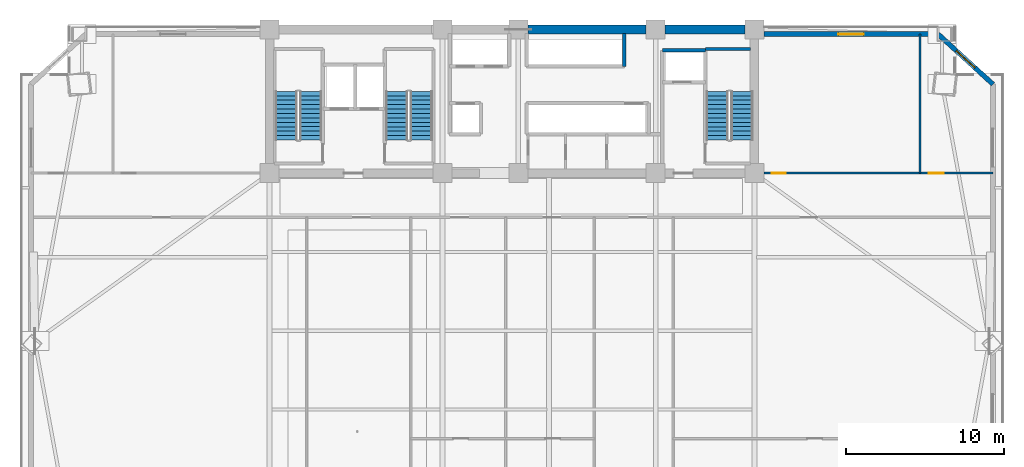
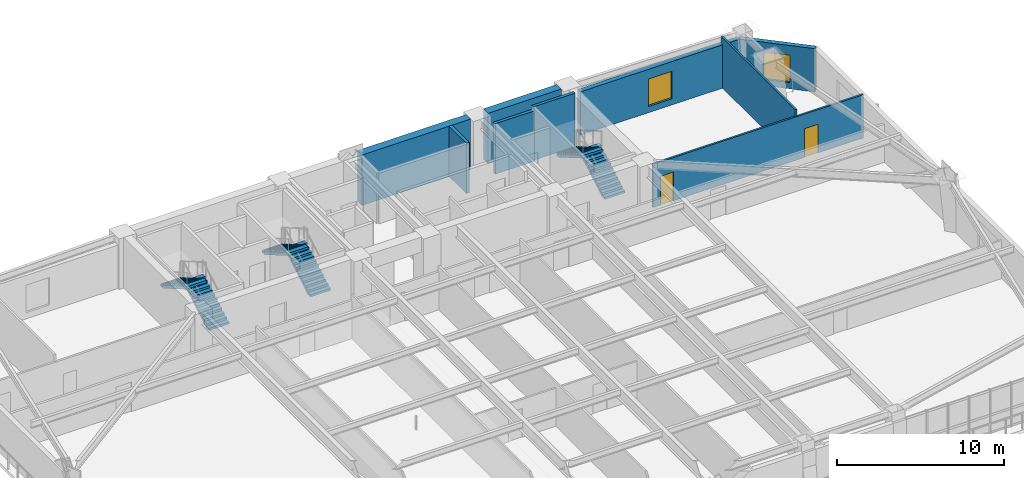
# One storey, part 10 of 15: 9 walls, 6 stair flights, 2 doors, 2 windows, 4 openings, 3 elements without a shape of their own.
"""IFC4 building model written with IfcOpenShell, lengths in metres."""

from ifc_helpers import new_model, si_unit, direction, frame, frame_2d, origin, place, context, subcontext, project, spatial, polyline, rectangle, outline, extrude, source, transform, mapped, material, layer, layer_set, type_object, element, fill, aggregate, save


model = new_model("IFC4")

# Units and contexts
model_context = context("Model", 3, precision=1e-05, world=origin(), true_north=direction((0.0, 1.0)))
body_context = subcontext(model_context, "Body", "Model", "MODEL_VIEW")
ifc_project = project(units=[si_unit("LENGTHUNIT", "METRE"), si_unit("AREAUNIT", "SQUARE_METRE"), si_unit("VOLUMEUNIT", "CUBIC_METRE"), si_unit("PLANEANGLEUNIT", "RADIAN"), si_unit("MASSUNIT", "GRAM", prefix="KILO")], contexts=[model_context])

# Site, building, storey
site_placement = place(None, origin())
site = spatial("IfcSite", under=ifc_project, at=site_placement, CompositionType="ELEMENT")
building_placement = place(site_placement, origin())
building = spatial("IfcBuilding", under=site, at=building_placement, Name="Giltprow Tower", CompositionType="ELEMENT")
storey_placement = place(building_placement, frame((0.0, 0.0, 119.199951171875)))
storey = spatial("IfcBuildingStorey", under=building, at=storey_placement, Name="L29", CompositionType="ELEMENT", Elevation=119.199951171875)

# Wall, opening, window
ifc_material_1 = material(Name="Precast concrete C40", Category="concrete")
ifc_layer_1 = layer(ifc_material_1, 0.300048828125, Name="Precast concrete C40")
ifc_layer_set_1 = layer_set([ifc_layer_1], Name="Precast concrete C40")
wall_type_1 = type_object("IfcWallType", Name="EW-NOTCH-CHAMFER-300", PredefinedType="SOLIDWALL", material=ifc_layer_set_1)
wall_1_placement = place(storey_placement, frame((65.656005859375, 43.0830078125, 0.0), z_axis=(0.0, 0.0, 1.0), x_axis=(-0.738333520178, 0.674435773801, 0.0)))
wall_1 = element("IfcWall", 1, at=wall_1_placement, inside=storey, type_object=wall_type_1, Name="L29 Corner Notch Wall NE", PredefinedType="SOLIDWALL", context=body_context, shape_type="SweptSolid", body=[
    extrude(rectangle(XDim=4.69580078125, YDim=0.300048828125, at=frame_2d((2.347900390625, 0.0))), origin(), (0.0, 0.0, 1.0), 3.16015625),
])
opening_1_placement = place(wall_1_placement, frame((1.548095703125, 0.0, 0.449951171875)))
opening_1 = element("IfcOpeningElement", 2, at=opening_1_placement, cuts=wall_1, Name="Opening WN17", PredefinedType="OPENING", context=body_context, shape_type="SweptSolid", body=[
    extrude(rectangle(XDim=1.60009765625, YDim=2.0, at=frame_2d((0.800048828125, 1.0))), frame((0.0, 0.159912109375, 0.0), z_axis=(0.0, -1.0, 0.0), x_axis=(1.0, 0.0, 0.0)), (0.0, 0.0, 1.0), 0.320068359375),
])
ifc_material_2 = material(Name="Insulated glass", Category="glass")
window_type = type_object("IfcWindowType", Name="WN-COR-1600x2000", PartitioningType="SINGLE_PANEL", PredefinedType="WINDOW", material=ifc_material_2)
shared_shape_1 = source(origin(), body_context, "Body", "SweptSolid", [
    extrude(rectangle(XDim=1.60009765625, YDim=2.0, at=frame_2d((0.800048828125, 1.0))), frame((0.0, 0.030029296875, 0.0), z_axis=(0.0, -1.0, 0.0), x_axis=(1.0, 0.0, 0.0)), (0.0, 0.0, 1.0), 0.06005859375),
])
window_1_placement = place(opening_1_placement, origin())
window_1 = element("IfcWindow", 3, at=window_1_placement, inside=storey, type_object=window_type, Name="L29 Corner Notch Window NE", OverallHeight=2.0, OverallWidth=1.60009765625, PartitioningType="SINGLE_PANEL", PredefinedType="WINDOW", context=body_context, shape_type="MappedRepresentation", body=[
    mapped(shared_shape_1, transform((0.0, 0.0, 0.0), x_axis=(1.0, 0.0, 0.0), y_axis=(0.0, 1.0, 0.0), z_axis=(0.0, 0.0, 1.0), scale=1.0)),
])
fill(opening_1, window_1)

ifc_layer_2 = layer(ifc_material_1, 0.320068359375, Name="Precast concrete C40")
ifc_layer_set_2 = layer_set([ifc_layer_2], Name="Precast concrete C40")
wall_type_2 = type_object("IfcWallType", Name="EW-TOW-STONE-320", PredefinedType="SOLIDWALL", material=ifc_layer_set_2)
wall_2_placement = place(storey_placement, frame((51.14990234375, 46.25, 0.0), z_axis=(0.0, 0.0, 1.0), x_axis=(1.0, 0.0, 0.0)))
wall_2 = element("IfcWall", 4, at=wall_2_placement, inside=storey, type_object=wall_type_2, Name="L29 North-East Wing Wall", PredefinedType="SOLIDWALL", context=body_context, shape_type="SweptSolid", body=[
    extrude(rectangle(XDim=11.0390625, YDim=0.320068359375, at=frame_2d((5.51953125, 0.0))), origin(), (0.0, 0.0, 1.0), 3.16015625),
])
opening_2_placement = place(wall_2_placement, frame((4.719970703125, 0.0, 0.449951171875)))
opening_2 = element("IfcOpeningElement", 5, at=opening_2_placement, cuts=wall_2, Name="Opening WN17", PredefinedType="OPENING", context=body_context, shape_type="SweptSolid", body=[
    extrude(rectangle(XDim=1.60009765625, YDim=2.0, at=frame_2d((0.800048828125, 1.0))), frame((0.0, 0.169921875, 0.0), z_axis=(0.0, -1.0, 0.0), x_axis=(1.0, 0.0, 0.0)), (0.0, 0.0, 1.0), 0.340087890625),
])
window_2_placement = place(opening_2_placement, origin())
window_2 = element("IfcWindow", 6, at=window_2_placement, inside=storey, type_object=window_type, Name="L29 North-East Window", OverallHeight=2.0, OverallWidth=1.60009765625, PartitioningType="SINGLE_PANEL", PredefinedType="WINDOW", context=body_context, shape_type="MappedRepresentation", body=[
    mapped(shared_shape_1, transform((0.0, 0.0, 0.0), x_axis=(1.0, 0.0, 0.0), y_axis=(0.0, 1.0, 0.0), z_axis=(0.0, 0.0, 1.0), scale=1.0)),
])
fill(opening_2, window_2)

# Walls
ifc_material_3 = material(Name="Concrete C40", Category="concrete")
ifc_layer_3 = layer(ifc_material_3, 0.219970703125, Name="Concrete C40")
ifc_layer_set_3 = layer_set([ifc_layer_3], Name="Concrete C40")
wall_type_3 = type_object("IfcWallType", Name="IW-SHAFT-220", PredefinedType="SOLIDWALL", material=ifc_layer_set_3)
wall_3_placement = place(storey_placement, frame((44.719970703125, 45.219970703125, 0.0), z_axis=(0.0, 0.0, 1.0), x_axis=(1.0, 0.0, 0.0)))
element("IfcWall", 7, at=wall_3_placement, inside=storey, type_object=wall_type_3, Name="L29 FFL2 Back Shaft Wall", PredefinedType="SOLIDWALL", context=body_context, shape_type="SweptSolid", body=[
    extrude(rectangle(XDim=2.719970703125, YDim=0.219970703125, at=frame_2d((1.35986328125, 0.0))), origin(), (0.0, 0.0, 1.0), 3.679931640625),
])
wall_4_placement = place(storey_placement, frame((42.320068359375, 44.219970703125, 0.0), z_axis=(0.0, 0.0, 1.0), x_axis=(0.0, 1.0, 0.0)))
element("IfcWall", 8, at=wall_4_placement, inside=storey, type_object=wall_type_3, Name="L29 North East Lift Shaft East Closure", PredefinedType="SOLIDWALL", context=body_context, shape_type="SweptSolid", body=[
    extrude(rectangle(XDim=2.074951171875, YDim=0.219970703125, at=frame_2d((1.03759765625, 0.0))), origin(), (0.0, 0.0, 1.0), 3.679931640625),
])
ifc_layer_4 = layer(ifc_material_3, 0.199951171875, Name="Concrete C40")
ifc_layer_set_4 = layer_set([ifc_layer_4], Name="Concrete C40")
wall_type_4 = type_object("IfcWallType", Name="IW-STAIR-200", PredefinedType="SOLIDWALL", material=ifc_layer_set_4)
wall_5_placement = place(storey_placement, frame((47.43994140625, 45.320068359375, 0.0), z_axis=(0.0, 0.0, 1.0), x_axis=(1.0, 0.0, 0.0)))
element("IfcWall", 9, at=wall_5_placement, inside=storey, type_object=wall_type_4, Name="L29 Stair ST-3 North Bearing Wall", PredefinedType="SOLIDWALL", context=body_context, shape_type="SweptSolid", body=[
    extrude(rectangle(XDim=2.85498046875, YDim=0.199951171875, at=frame_2d((1.427490234375, 0.0))), origin(), (0.0, 0.0, 1.0), 3.900146484375),
])

# Wall, openings, doors
ifc_material_4 = material(Name="Concrete C30", Category="concrete")
ifc_layer_5 = layer(ifc_material_4, 0.1298828125, Name="Concrete C30")
ifc_layer_set_5 = layer_set([ifc_layer_5], Name="Concrete C30")
wall_type_5 = type_object("IfcWallType", Name="IW-WET-130", PredefinedType="PARTITIONING", material=ifc_layer_set_5)
wall_6_placement = place(storey_placement, frame((51.14990234375, 37.449951171875, 0.0), z_axis=(0.0, 0.0, 1.0), x_axis=(1.0, 0.0, 0.0)))
wall_6 = element("IfcWall", 10, at=wall_6_placement, inside=storey, type_object=wall_type_5, Name="L29 NE Wing South Wall", PredefinedType="PARTITIONING", context=body_context, shape_type="SweptSolid", body=[
    extrude(rectangle(XDim=14.506103515625, YDim=0.1298828125, at=frame_2d((7.2529296875, 0.0))), origin(), (0.0, 0.0, 1.0), 3.1650390625),
])
opening_3_placement = place(wall_6_placement, frame((0.5, 0.0, 0.0)))
opening_3 = element("IfcOpeningElement", 11, at=opening_3_placement, cuts=wall_6, Name="Opening ID15", PredefinedType="OPENING", context=body_context, shape_type="SweptSolid", body=[
    extrude(rectangle(XDim=0.89990234375, YDim=2.10009765625, at=frame_2d((0.449951171875, 1.050048828125))), frame((0.0, 0.074951171875, 0.0), z_axis=(0.0, -1.0, 0.0), x_axis=(1.0, 0.0, 0.0)), (0.0, 0.0, 1.0), 0.14990234375),
])
opening_4_placement = place(wall_6_placement, frame((10.429931640625, 0.0, 0.0)))
opening_4 = element("IfcOpeningElement", 12, at=opening_4_placement, cuts=wall_6, Name="Opening ID11", PredefinedType="OPENING", context=body_context, shape_type="SweptSolid", body=[
    extrude(rectangle(XDim=0.949951171875, YDim=2.10009765625, at=frame_2d((0.47509765625, 1.050048828125))), frame((0.0, 0.074951171875, 0.0), z_axis=(0.0, -1.0, 0.0), x_axis=(1.0, 0.0, 0.0)), (0.0, 0.0, 1.0), 0.14990234375),
])
ifc_material_5 = material(Name="Engineered timber", Category="wood")
door_type_1 = type_object("IfcDoorType", Name="DR-WC-900", OperationType="SINGLE_SWING_LEFT", PredefinedType="DOOR", material=ifc_material_5)
shared_shape_2 = source(origin(), body_context, "Body", "SweptSolid", [
    extrude(rectangle(XDim=0.89990234375, YDim=2.10009765625, at=frame_2d((0.449951171875, 1.050048828125))), frame((0.0, 0.02490234375, 0.0), z_axis=(0.0, -1.0, 0.0), x_axis=(1.0, 0.0, 0.0)), (0.0, 0.0, 1.0), 0.050048828125),
])
door_1_placement = place(opening_3_placement, origin())
door_1 = element("IfcDoor", 13, at=door_1_placement, inside=storey, type_object=door_type_1, Name="L29 East Wing Washroom Door", OperationType="SINGLE_SWING_RIGHT", OverallHeight=2.10009765625, OverallWidth=0.89990234375, PredefinedType="DOOR", context=body_context, shape_type="MappedRepresentation", body=[
    mapped(shared_shape_2, transform((0.0, 0.0, 0.0), x_axis=(1.0, 0.0, 0.0), y_axis=(0.0, 1.0, 0.0), z_axis=(0.0, 0.0, 1.0), scale=1.0)),
])
fill(opening_3, door_1)
door_type_2 = type_object("IfcDoorType", Name="DR-ROOM-950", OperationType="SINGLE_SWING_RIGHT", PredefinedType="DOOR", material=ifc_material_5)
shared_shape_3 = source(origin(), body_context, "Body", "SweptSolid", [
    extrude(rectangle(XDim=0.949951171875, YDim=2.10009765625, at=frame_2d((0.47509765625, 1.050048828125))), frame((0.0, 0.02490234375, 0.0), z_axis=(0.0, -1.0, 0.0), x_axis=(1.0, 0.0, 0.0)), (0.0, 0.0, 1.0), 0.050048828125),
])
door_2_placement = place(opening_4_placement, origin())
door_2 = element("IfcDoor", 14, at=door_2_placement, inside=storey, type_object=door_type_2, Name="L29 East Tenant Archive Store Door", OperationType="SINGLE_SWING_RIGHT", OverallHeight=2.10009765625, OverallWidth=0.949951171875, PredefinedType="DOOR", context=body_context, shape_type="MappedRepresentation", body=[
    mapped(shared_shape_3, transform((0.0, 0.0, 0.0), x_axis=(1.0, 0.0, 0.0), y_axis=(0.0, 1.0, 0.0), z_axis=(0.0, 0.0, 1.0), scale=1.0)),
])
fill(opening_4, door_2)

# Walls
wall_7_placement = place(storey_placement, frame((61.030029296875, 37.449951171875, 0.0), z_axis=(0.0, 0.0, 1.0), x_axis=(0.0, 1.0, 0.0)))
element("IfcWall", 15, at=wall_7_placement, inside=storey, type_object=wall_type_5, Name="L29 NE Wing Divider", PredefinedType="PARTITIONING", context=body_context, shape_type="SweptSolid", body=[
    extrude(rectangle(XDim=8.800048828125, YDim=0.1298828125, at=frame_2d((4.39990234375, 0.0))), origin(), (0.0, 0.0, 1.0), 3.679931640625),
])
ifc_material_6 = material(Name="Concrete C60", Category="concrete")
ifc_layer_6 = layer(ifc_material_6, 0.550048828125, Name="Concrete C60")
ifc_layer_set_6 = layer_set([ifc_layer_6], Name="Concrete C60")
wall_type_6 = type_object("IfcWallType", Name="SW-EXT-550-C60", PredefinedType="SHEAR", material=ifc_layer_set_6)
wall_8_placement = place(storey_placement, frame((36.199951171875, 46.550048828125, 0.0), z_axis=(0.0, 0.0, 1.0), x_axis=(1.0, 0.0, 0.0)))
element("IfcWall", 16, at=wall_8_placement, inside=storey, type_object=wall_type_6, Name="L29 North Rear Core Shear Wall 3", PredefinedType="SHEAR", context=body_context, shape_type="SweptSolid", body=[
    extrude(rectangle(XDim=7.5, YDim=0.550048828125, at=frame_2d((3.75, 0.0))), origin(), (0.0, 0.0, 1.0), 3.679931640625),
])
wall_9_placement = place(storey_placement, frame((44.89990234375, 46.550048828125, 0.0), z_axis=(0.0, 0.0, 1.0), x_axis=(1.0, 0.0, 0.0)))
element("IfcWall", 17, at=wall_9_placement, inside=storey, type_object=wall_type_6, Name="L29 North Rear Core Shear Wall 4", PredefinedType="SHEAR", context=body_context, shape_type="SweptSolid", body=[
    extrude(rectangle(XDim=5.050048828125, YDim=0.550048828125, at=frame_2d((2.52490234375, 0.0))), origin(), (0.0, 0.0, 1.0), 3.679931640625),
])

# Stair, stair flights
stair_type_1 = type_object("IfcStairType", Name="STR-ST-1", PredefinedType="HALF_TURN_STAIR", material=ifc_material_3)
stair_1_placement = place(storey_placement, origin())
stair_1 = element("IfcStair", 18, at=stair_1_placement, inside=storey, type_object=stair_type_1, Name="L29 Core Exit Stair ST-1", PredefinedType="HALF_TURN_STAIR")
stair_flight_type_1 = type_object("IfcStairFlightType", Name="SFL-ST-1", PredefinedType="STRAIGHT", material=ifc_material_3)
stair_flight_1_placement = place(storey_placement, frame((22.4599609375, 39.550048828125, 0.0), z_axis=(0.0, 0.0, 1.0), x_axis=(0.0, 1.0, 0.0)))
stair_flight_1 = element("IfcStairFlight", 19, at=stair_flight_1_placement, type_object=stair_flight_type_1, Name="ST-1 flight 1", NumberOfRisers=12, NumberOfTreads=11, PredefinedType="STRAIGHT", RiserHeight=0.1625, TreadLength=0.28, context=body_context, shape_type="SweptSolid", body=[
    extrude(outline(polyline([(0.0, 0.0), (0.0, 0.16259765625), (0.280029296875, 0.16259765625), (0.280029296875, 0.324951171875), (0.56005859375, 0.324951171875), (0.56005859375, 0.487548828125), (0.840087890625, 0.487548828125), (0.840087890625, 0.64990234375), (1.1201171875, 0.64990234375), (1.1201171875, 0.8125), (1.39990234375, 0.8125), (1.39990234375, 0.97509765625), (1.679931640625, 0.97509765625), (1.679931640625, 1.137451171875), (1.9599609375, 1.137451171875), (1.9599609375, 1.300048828125), (2.239990234375, 1.300048828125), (2.239990234375, 1.46240234375), (2.52001953125, 1.46240234375), (2.52001953125, 1.625), (2.800048828125, 1.625), (2.800048828125, 1.78759765625), (3.080078125, 1.78759765625), (3.080078125, 1.949951171875), (3.080078125, 1.6142578125), (0.298583984375, 0.0), (0.0, 0.0)])), frame((0.0, 0.699951171875, 0.0), z_axis=(0.0, -1.0, 0.0), x_axis=(1.0, 0.0, 0.0)), (0.0, 0.0, 1.0), 1.39990234375),
])
stair_flight_2_placement = place(storey_placement, frame((20.89990234375, 42.6298828125, 1.949951171875), z_axis=(0.0, 0.0, 1.0), x_axis=(0.0, -1.0, 0.0)))
stair_flight_2 = element("IfcStairFlight", 20, at=stair_flight_2_placement, type_object=stair_flight_type_1, Name="ST-1 flight 2", NumberOfRisers=12, NumberOfTreads=11, PredefinedType="STRAIGHT", RiserHeight=0.1625, TreadLength=0.28, context=body_context, shape_type="SweptSolid", body=[
    extrude(outline(polyline([(0.0, 0.0), (0.0, 0.16259765625), (0.280029296875, 0.16259765625), (0.280029296875, 0.324951171875), (0.56005859375, 0.324951171875), (0.56005859375, 0.487548828125), (0.840087890625, 0.487548828125), (0.840087890625, 0.64990234375), (1.1201171875, 0.64990234375), (1.1201171875, 0.8125), (1.39990234375, 0.8125), (1.39990234375, 0.97509765625), (1.679931640625, 0.97509765625), (1.679931640625, 1.137451171875), (1.9599609375, 1.137451171875), (1.9599609375, 1.300048828125), (2.239990234375, 1.300048828125), (2.239990234375, 1.46240234375), (2.52001953125, 1.46240234375), (2.52001953125, 1.625), (2.800048828125, 1.625), (2.800048828125, 1.78759765625), (3.080078125, 1.78759765625), (3.080078125, 1.949951171875), (3.080078125, 1.6142578125), (0.298583984375, 0.0), (0.0, 0.0)])), frame((0.0, 0.699951171875, 0.0), z_axis=(0.0, -1.0, 0.0), x_axis=(1.0, 0.0, 0.0)), (0.0, 0.0, 1.0), 1.39990234375),
])
aggregate(stair_1, [stair_flight_1, stair_flight_2])

stair_type_2 = type_object("IfcStairType", Name="STR-ST-2", PredefinedType="HALF_TURN_STAIR", material=ifc_material_3)
stair_2_placement = place(storey_placement, origin())
stair_2 = element("IfcStair", 21, at=stair_2_placement, inside=storey, type_object=stair_type_2, Name="L29 Core Exit Stair ST-2", PredefinedType="HALF_TURN_STAIR")
stair_flight_type_2 = type_object("IfcStairFlightType", Name="SFL-ST-2", PredefinedType="STRAIGHT", material=ifc_material_3)
stair_flight_3_placement = place(storey_placement, frame((29.4599609375, 39.550048828125, 0.0), z_axis=(0.0, 0.0, 1.0), x_axis=(0.0, 1.0, 0.0)))
stair_flight_3 = element("IfcStairFlight", 22, at=stair_flight_3_placement, type_object=stair_flight_type_2, Name="ST-2 flight 1", NumberOfRisers=12, NumberOfTreads=11, PredefinedType="STRAIGHT", RiserHeight=0.1625, TreadLength=0.28, context=body_context, shape_type="SweptSolid", body=[
    extrude(outline(polyline([(0.0, 0.0), (0.0, 0.16259765625), (0.280029296875, 0.16259765625), (0.280029296875, 0.324951171875), (0.56005859375, 0.324951171875), (0.56005859375, 0.487548828125), (0.840087890625, 0.487548828125), (0.840087890625, 0.64990234375), (1.1201171875, 0.64990234375), (1.1201171875, 0.8125), (1.39990234375, 0.8125), (1.39990234375, 0.97509765625), (1.679931640625, 0.97509765625), (1.679931640625, 1.137451171875), (1.9599609375, 1.137451171875), (1.9599609375, 1.300048828125), (2.239990234375, 1.300048828125), (2.239990234375, 1.46240234375), (2.52001953125, 1.46240234375), (2.52001953125, 1.625), (2.800048828125, 1.625), (2.800048828125, 1.78759765625), (3.080078125, 1.78759765625), (3.080078125, 1.949951171875), (3.080078125, 1.6142578125), (0.298583984375, 0.0), (0.0, 0.0)])), frame((0.0, 0.699951171875, 0.0), z_axis=(0.0, -1.0, 0.0), x_axis=(1.0, 0.0, 0.0)), (0.0, 0.0, 1.0), 1.39990234375),
])
stair_flight_4_placement = place(storey_placement, frame((27.89990234375, 42.6298828125, 1.949951171875), z_axis=(0.0, 0.0, 1.0), x_axis=(0.0, -1.0, 0.0)))
stair_flight_4 = element("IfcStairFlight", 23, at=stair_flight_4_placement, type_object=stair_flight_type_2, Name="ST-2 flight 2", NumberOfRisers=12, NumberOfTreads=11, PredefinedType="STRAIGHT", RiserHeight=0.1625, TreadLength=0.28, context=body_context, shape_type="SweptSolid", body=[
    extrude(outline(polyline([(0.0, 0.0), (0.0, 0.16259765625), (0.280029296875, 0.16259765625), (0.280029296875, 0.324951171875), (0.56005859375, 0.324951171875), (0.56005859375, 0.487548828125), (0.840087890625, 0.487548828125), (0.840087890625, 0.64990234375), (1.1201171875, 0.64990234375), (1.1201171875, 0.8125), (1.39990234375, 0.8125), (1.39990234375, 0.97509765625), (1.679931640625, 0.97509765625), (1.679931640625, 1.137451171875), (1.9599609375, 1.137451171875), (1.9599609375, 1.300048828125), (2.239990234375, 1.300048828125), (2.239990234375, 1.46240234375), (2.52001953125, 1.46240234375), (2.52001953125, 1.625), (2.800048828125, 1.625), (2.800048828125, 1.78759765625), (3.080078125, 1.78759765625), (3.080078125, 1.949951171875), (3.080078125, 1.6142578125), (0.298583984375, 0.0), (0.0, 0.0)])), frame((0.0, 0.699951171875, 0.0), z_axis=(0.0, -1.0, 0.0), x_axis=(1.0, 0.0, 0.0)), (0.0, 0.0, 1.0), 1.39990234375),
])
aggregate(stair_2, [stair_flight_3, stair_flight_4])

stair_type_3 = type_object("IfcStairType", Name="STR-ST-3", PredefinedType="HALF_TURN_STAIR", material=ifc_material_3)
stair_3_placement = place(storey_placement, origin())
stair_3 = element("IfcStair", 24, at=stair_3_placement, inside=storey, type_object=stair_type_3, Name="L29 Core Exit Stair ST-3", PredefinedType="HALF_TURN_STAIR")
stair_flight_type_3 = type_object("IfcStairFlightType", Name="SFL-ST-3", PredefinedType="STRAIGHT", material=ifc_material_3)
stair_flight_5_placement = place(storey_placement, frame((49.760009765625, 39.550048828125, 0.0), z_axis=(0.0, 0.0, 1.0), x_axis=(0.0, 1.0, 0.0)))
stair_flight_5 = element("IfcStairFlight", 25, at=stair_flight_5_placement, type_object=stair_flight_type_3, Name="ST-3 flight 1", NumberOfRisers=12, NumberOfTreads=11, PredefinedType="STRAIGHT", RiserHeight=0.1625, TreadLength=0.28, context=body_context, shape_type="SweptSolid", body=[
    extrude(outline(polyline([(0.0, 0.0), (0.0, 0.16259765625), (0.280029296875, 0.16259765625), (0.280029296875, 0.324951171875), (0.56005859375, 0.324951171875), (0.56005859375, 0.487548828125), (0.840087890625, 0.487548828125), (0.840087890625, 0.64990234375), (1.1201171875, 0.64990234375), (1.1201171875, 0.8125), (1.39990234375, 0.8125), (1.39990234375, 0.97509765625), (1.679931640625, 0.97509765625), (1.679931640625, 1.137451171875), (1.9599609375, 1.137451171875), (1.9599609375, 1.300048828125), (2.239990234375, 1.300048828125), (2.239990234375, 1.46240234375), (2.52001953125, 1.46240234375), (2.52001953125, 1.625), (2.800048828125, 1.625), (2.800048828125, 1.78759765625), (3.080078125, 1.78759765625), (3.080078125, 1.949951171875), (3.080078125, 1.6142578125), (0.298583984375, 0.0), (0.0, 0.0)])), frame((0.0, 0.699951171875, 0.0), z_axis=(0.0, -1.0, 0.0), x_axis=(1.0, 0.0, 0.0)), (0.0, 0.0, 1.0), 1.39990234375),
])
stair_flight_6_placement = place(storey_placement, frame((48.199951171875, 42.6298828125, 1.949951171875), z_axis=(0.0, 0.0, 1.0), x_axis=(0.0, -1.0, 0.0)))
stair_flight_6 = element("IfcStairFlight", 26, at=stair_flight_6_placement, type_object=stair_flight_type_3, Name="ST-3 flight 2", NumberOfRisers=12, NumberOfTreads=11, PredefinedType="STRAIGHT", RiserHeight=0.1625, TreadLength=0.28, context=body_context, shape_type="SweptSolid", body=[
    extrude(outline(polyline([(0.0, 0.0), (0.0, 0.16259765625), (0.280029296875, 0.16259765625), (0.280029296875, 0.324951171875), (0.56005859375, 0.324951171875), (0.56005859375, 0.487548828125), (0.840087890625, 0.487548828125), (0.840087890625, 0.64990234375), (1.1201171875, 0.64990234375), (1.1201171875, 0.8125), (1.39990234375, 0.8125), (1.39990234375, 0.97509765625), (1.679931640625, 0.97509765625), (1.679931640625, 1.137451171875), (1.9599609375, 1.137451171875), (1.9599609375, 1.300048828125), (2.239990234375, 1.300048828125), (2.239990234375, 1.46240234375), (2.52001953125, 1.46240234375), (2.52001953125, 1.625), (2.800048828125, 1.625), (2.800048828125, 1.78759765625), (3.080078125, 1.78759765625), (3.080078125, 1.949951171875), (3.080078125, 1.6142578125), (0.298583984375, 0.0), (0.0, 0.0)])), frame((0.0, 0.699951171875, 0.0), z_axis=(0.0, -1.0, 0.0), x_axis=(1.0, 0.0, 0.0)), (0.0, 0.0, 1.0), 1.39990234375),
])
aggregate(stair_3, [stair_flight_5, stair_flight_6])

save(model, "model.ifc")
